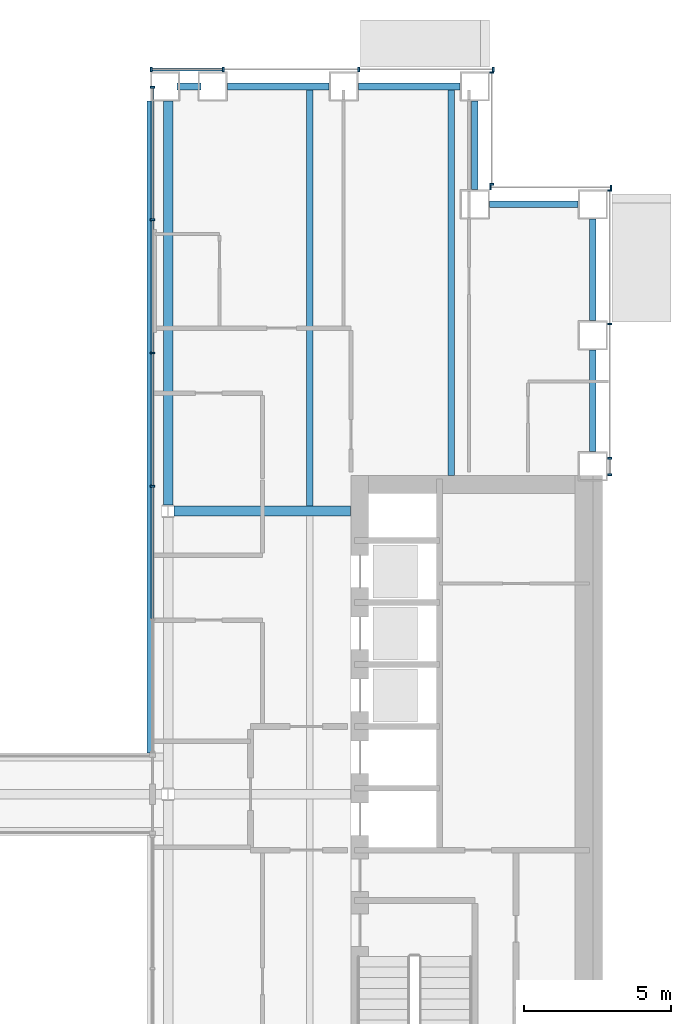
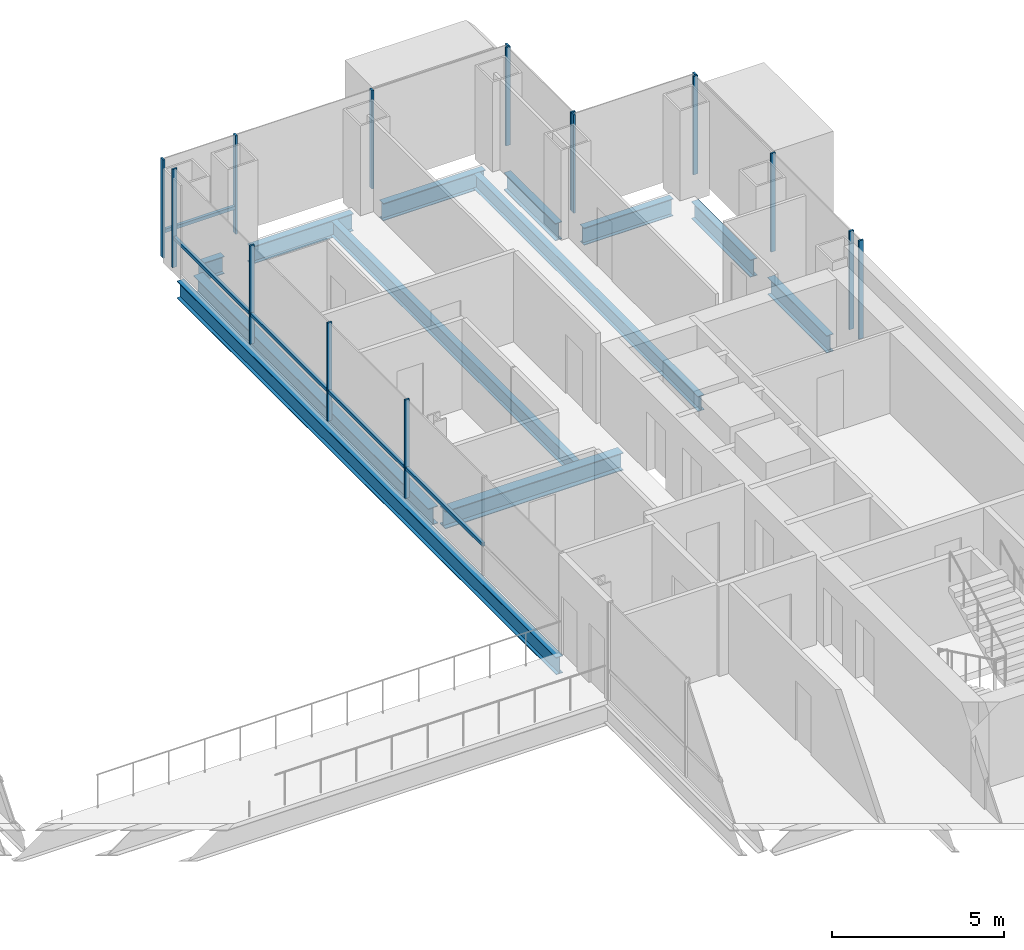
# One storey, part 7 of 21: 21 members, 12 beams, 5 elements without a shape of their own.
"""IFC4 building model written with IfcOpenShell, lengths in metres."""

import ifcopenshell
import ifcopenshell.guid

model = None  # the IFC model being written
_history = None  # IfcOwnerHistory: only IFC2X3 demands one
_inside = {}  # id of a spatial element -> (the spatial element, [elements in it])
_under = {}  # id of a project, library or spatial element -> (it, [spatial elements below it])
_declared = {}  # id of a project -> (the project, [libraries it declares])
_typed = {}  # id of a type object -> (the type object, [elements of that type])
_made_of = {}  # id of a material, layer set ... -> (it, [elements and type objects made of it])


def new_model(schema):
    """Start an empty IFC model of exactly this schema.

    Asked for "IFC4X3", IfcOpenShell would pick the latest addendum, in which some entities
    have other attributes; the version numbers below select the first issue.
    IFC2X3 requires an IfcOwnerHistory on every rooted entity: one is made here for all.
    """
    global model, _history
    if schema == "IFC4X3":
        model = ifcopenshell.file(schema_version=(4, 3, 0, 0))
    else:
        model = ifcopenshell.file(schema=schema)
    _inside.clear()
    _under.clear()
    _declared.clear()
    _typed.clear()
    _made_of.clear()
    _history = None
    if model.schema == "IFC2X3":
        org = make("IfcOrganization", Name="unknown")
        user = make(
            "IfcPersonAndOrganization",
            ThePerson=make("IfcPerson", FamilyName="unknown"),
            TheOrganization=org,
        )
        app = make(
            "IfcApplication",
            ApplicationDeveloper=org,
            Version="unknown",
            ApplicationFullName="unknown",
            ApplicationIdentifier="unknown",
        )
        _history = make(
            "IfcOwnerHistory",
            OwningUser=user,
            OwningApplication=app,
            ChangeAction="ADDED",
            CreationDate=0,
        )
    return model


def make(cls, **values):
    """One entity of the class cls with the attributes given. An attribute that is None is left unset."""
    return model.create_entity(
        cls, **{name: value for name, value in values.items() if value is not None}
    )


def rooted(cls, **values):
    """An entity with a GlobalId (a new one), such as an element, a storey or a relation."""
    return make(cls, GlobalId=ifcopenshell.guid.new(), OwnerHistory=_history, **values)


def si_unit(unit_type, name, prefix=None):
    """IfcSIUnit, for example si_unit("LENGTHUNIT", "METRE", prefix="MILLI")."""
    return make("IfcSIUnit", UnitType=unit_type, Prefix=prefix, Name=name)


def assignment(units):
    """IfcUnitAssignment: the units of a project."""
    return None if units is None else make("IfcUnitAssignment", Units=units)


def point(xyz):
    """IfcCartesianPoint."""
    return None if xyz is None else make("IfcCartesianPoint", Coordinates=xyz)


def direction(xyz):
    """IfcDirection."""
    return None if xyz is None else make("IfcDirection", DirectionRatios=xyz)


def frame(location, z_axis=None, x_axis=None):
    """IfcAxis2Placement3D, a coordinate frame: its origin and axes. An axis left out is left unset."""
    return make(
        "IfcAxis2Placement3D",
        Location=point(location),
        Axis=direction(z_axis),
        RefDirection=direction(x_axis),
    )


def frame_2d(location, x_axis=None):
    """IfcAxis2Placement2D, a coordinate frame in the plane: its origin and x axis."""
    return make(
        "IfcAxis2Placement2D", Location=point(location), RefDirection=direction(x_axis)
    )


def origin():
    """The frame at (0, 0, 0) with its axes left unset."""
    return frame((0.0, 0.0, 0.0))


def origin_2d():
    """The frame at (0, 0) in the plane with its x axis left unset."""
    return frame_2d((0.0, 0.0))


def place(relative_to, where):
    """IfcLocalPlacement: puts the frame where relative to a parent placement (None: the world)."""
    return make(
        "IfcLocalPlacement", PlacementRelTo=relative_to, RelativePlacement=where
    )


def context(
    kind, dimensions, precision=None, world=None, true_north=None, identifier=None
):
    """IfcGeometricRepresentationContext, for example the 3D "Model" context."""
    return make(
        "IfcGeometricRepresentationContext",
        ContextIdentifier=identifier,
        ContextType=kind,
        CoordinateSpaceDimension=dimensions,
        Precision=precision,
        WorldCoordinateSystem=world,
        TrueNorth=true_north,
    )


def subcontext(parent, identifier, kind, view, scale=None):
    """IfcGeometricRepresentationSubContext, for example "Body" below "Model"."""
    return make(
        "IfcGeometricRepresentationSubContext",
        ContextIdentifier=identifier,
        ContextType=kind,
        ParentContext=parent,
        TargetScale=scale,
        TargetView=view,
    )


def project(units=None, contexts=None):
    """IfcProject with its units and contexts."""
    return rooted(
        "IfcProject",
        Name="project",
        RepresentationContexts=contexts,
        UnitsInContext=assignment(units),
    )


def spatial(cls, under=None, at=None, **own):
    """A site, building, storey or space (cls), placed at a placement, below another one or the project."""
    s = rooted(cls, ObjectPlacement=at, **own)
    if under is not None:
        _under.setdefault(under.id(), (under, []))[1].append(s)
    return s


def profile(cls, at=None, kind="AREA", **sizes):
    """A parametric profile (cls). Its sizes go by their IFC names, for example OverallWidth=200.0."""
    return make(cls, ProfileType=kind, Position=at, **sizes)


def rectangle(**sizes):
    """IfcRectangleProfileDef."""
    return profile("IfcRectangleProfileDef", **sizes)


def i_section(**sizes):
    """IfcIShapeProfileDef."""
    return profile("IfcIShapeProfileDef", **sizes)


def extrude(swept, where, along, depth):
    """IfcExtrudedAreaSolid: the profile swept, set in the frame where, extruded along a direction by depth."""
    return make(
        "IfcExtrudedAreaSolid",
        SweptArea=swept,
        Position=where,
        ExtrudedDirection=direction(along),
        Depth=depth,
    )


def shape(context_of_items, identifier, shape_type, items):
    """IfcShapeRepresentation: the items that make up one representation, for example the "Body"."""
    return make(
        "IfcShapeRepresentation",
        ContextOfItems=context_of_items,
        RepresentationIdentifier=identifier,
        RepresentationType=shape_type,
        Items=items,
    )


def material(Name=None, Category=None):
    """IfcMaterial."""
    return make("IfcMaterial", Name=Name, Category=Category)


def material_profile(
    of_material, cross_section, Name=None, Category=None, Priority=None
):
    """IfcMaterialProfile: a cross section and its material."""
    return make(
        "IfcMaterialProfile",
        Name=Name,
        Material=of_material,
        Profile=cross_section,
        Priority=Priority,
        Category=Category,
    )


def profile_set(profiles, Name=None, composite=None):
    """IfcMaterialProfileSet."""
    return make(
        "IfcMaterialProfileSet",
        Name=Name,
        MaterialProfiles=profiles,
        CompositeProfile=composite,
    )


def made_of(thing, what):
    """Note that an element or type object is made of a material, layer set ...; save() writes the relation."""
    if what is not None:
        _made_of.setdefault(what.id(), (what, []))[1].append(thing)
    return thing


def type_object(cls, material=None, **own):
    """A type object (cls), such as IfcWallType, which elements share."""
    return made_of(rooted(cls, **own), material)


def element(
    cls,
    number,
    at=None,
    inside=None,
    cuts=None,
    type_object=None,
    material=None,
    context=None,
    identifier="Body",
    shape_type=None,
    held_by="IfcProductDefinitionShape",
    body=None,
    shapes=None,
    **own,
):
    """One element of the class cls, such as IfcWall. Its Tag is "e" and its number.

    at: its placement. inside: the storey or other place that contains it. cuts: it is an
    opening in that element (IfcRelVoidsElement). A single representation is given by context,
    identifier, shape_type and body (its items); several are given by shapes. held_by: the class
    of the entity that holds the representations. save() writes the other relations.
    """
    e = rooted(cls, Tag="e%d" % number, ObjectPlacement=at, **own)
    if body is not None:
        shapes = [shape(context, identifier, shape_type, body)]
    if shapes is not None:
        e.Representation = make(held_by, Representations=shapes)
    if inside is not None:
        _inside.setdefault(inside.id(), (inside, []))[1].append(e)
    if cuts is not None:
        rooted(
            "IfcRelVoidsElement", RelatingBuildingElement=cuts, RelatedOpeningElement=e
        )
    if type_object is not None:
        _typed.setdefault(type_object.id(), (type_object, []))[1].append(e)
    return made_of(e, material)


def aggregate(whole, parts):
    """IfcRelAggregates: a whole, such as a stair, and the parts it consists of."""
    return rooted("IfcRelAggregates", RelatingObject=whole, RelatedObjects=parts)


def save(model, path):
    """Write the relations noted so far, then the file.

    IfcRelAggregates (storeys below a building ...), IfcRelContainedInSpatialStructure (elements
    in a storey), IfcRelDefinesByType, IfcRelAssociatesMaterial and IfcRelDeclares: one each for
    every whole, place, type object, material and project.
    """
    for whole, parts in _under.values():
        aggregate(whole, parts)
    for where, things in _inside.values():
        rooted(
            "IfcRelContainedInSpatialStructure",
            RelatedElements=things,
            RelatingStructure=where,
        )
    for kind, things in _typed.values():
        rooted("IfcRelDefinesByType", RelatedObjects=things, RelatingType=kind)
    for what, things in _made_of.values():
        rooted("IfcRelAssociatesMaterial", RelatedObjects=things, RelatingMaterial=what)
    for by, libraries in _declared.values():
        rooted("IfcRelDeclares", RelatingContext=by, RelatedDefinitions=libraries)
    model.write(path)


model = new_model("IFC4")

# Units and contexts
model_context = context("Model", 3, precision=1e-05, world=origin(), true_north=direction((0.0, 1.0)))
body_context = subcontext(model_context, "Body", "Model", "MODEL_VIEW")
ifc_project = project(units=[si_unit("LENGTHUNIT", "METRE"), si_unit("AREAUNIT", "SQUARE_METRE"), si_unit("VOLUMEUNIT", "CUBIC_METRE"), si_unit("PLANEANGLEUNIT", "RADIAN"), si_unit("MASSUNIT", "GRAM", prefix="KILO")], contexts=[model_context])

# Site, building, storey
site_placement = place(None, origin())
site = spatial("IfcSite", under=ifc_project, at=site_placement, CompositionType="ELEMENT")
building_placement = place(site_placement, origin())
building = spatial("IfcBuilding", under=site, at=building_placement, Name="Cobrizo Arcos Hotel Tower", CompositionType="ELEMENT")
storey_placement = place(building_placement, frame((0.0, 0.0, 81.0)))
storey = spatial("IfcBuildingStorey", under=building, at=storey_placement, Name="L19", CompositionType="ELEMENT", Elevation=81.0)

# Curtain wall, members
ifc_material_1 = material(Name="Aluminium 6063-T6 anodised bronze", Category="aluminium")
curtain_wall_type_1 = type_object("IfcCurtainWallType", Name="CW-A guest facade", PredefinedType="NOTDEFINED", material=ifc_material_1)
curtain_wall_1_placement = place(storey_placement, origin())
curtain_wall_1 = element("IfcCurtainWall", 1, at=curtain_wall_1_placement, inside=storey, type_object=curtain_wall_type_1, Name="CW-A L19 E face", PredefinedType="NOTDEFINED")
ifc_material_profile_1 = material_profile(ifc_material_1, rectangle(XDim=0.14990234375, YDim=0.06005859375, at=origin_2d()), Name="CW-A mullion 150x60")
ifc_profile_set_1 = profile_set([ifc_material_profile_1], Name="Aluminium 6063-T6 anodised bronze")
member_type_1 = type_object("IfcMemberType", Name="CW-A mullion 150x60", PredefinedType="MULLION", material=ifc_profile_set_1)
member_1_placement = place(storey_placement, frame((24.574951171875, 10.830078125, 0.0), z_axis=(0.0, 0.0, 1.0), x_axis=(1.0, 0.0, 0.0)))
member_1 = element("IfcMember", 2, at=member_1_placement, type_object=member_type_1, Name="CW-A mullion 1", PredefinedType="MULLION", context=body_context, shape_type="SweptSolid", body=[
    extrude(rectangle(XDim=0.14990234375, YDim=0.06005859375, at=origin_2d()), origin(), (0.0, 0.0, 1.0), 3.5),
])
member_2_placement = place(storey_placement, frame((24.574951171875, 11.388916015625, 0.0), z_axis=(0.0, 0.0, 1.0), x_axis=(1.0, 0.0, 0.0)))
member_2 = element("IfcMember", 3, at=member_2_placement, type_object=member_type_1, Name="CW-A mullion 2", PredefinedType="MULLION", context=body_context, shape_type="SweptSolid", body=[
    extrude(rectangle(XDim=0.14990234375, YDim=0.06005859375, at=origin_2d()), origin(), (0.0, 0.0, 1.0), 3.5),
])
member_3_placement = place(storey_placement, frame((24.574951171875, 15.9443359375, 0.0), z_axis=(0.0, 0.0, 1.0), x_axis=(1.0, 0.0, 0.0)))
member_3 = element("IfcMember", 4, at=member_3_placement, type_object=member_type_1, Name="CW-A mullion 3", PredefinedType="MULLION", context=body_context, shape_type="SweptSolid", body=[
    extrude(rectangle(XDim=0.14990234375, YDim=0.06005859375, at=origin_2d()), origin(), (0.0, 0.0, 1.0), 3.5),
])
member_4_placement = place(storey_placement, frame((24.574951171875, 20.469970703125, 0.0), z_axis=(0.0, 0.0, 1.0), x_axis=(1.0, 0.0, 0.0)))
member_4 = element("IfcMember", 5, at=member_4_placement, type_object=member_type_1, Name="CW-A mullion 4", PredefinedType="MULLION", context=body_context, shape_type="SweptSolid", body=[
    extrude(rectangle(XDim=0.14990234375, YDim=0.06005859375, at=origin_2d()), origin(), (0.0, 0.0, 1.0), 3.5),
])
aggregate(curtain_wall_1, [member_1, member_2, member_3, member_4])

curtain_wall_2_placement = place(storey_placement, origin())
curtain_wall_2 = element("IfcCurtainWall", 6, at=curtain_wall_2_placement, inside=storey, type_object=curtain_wall_type_1, Name="CW-A L19 N face", PredefinedType="NOTDEFINED")
member_5_placement = place(storey_placement, frame((24.6201171875, 20.574951171875, 0.0), z_axis=(0.0, 0.0, 1.0), x_axis=(0.0, 1.0, 0.0)))
member_5 = element("IfcMember", 7, at=member_5_placement, type_object=member_type_1, Name="CW-A mullion 1", PredefinedType="MULLION", context=body_context, shape_type="SweptSolid", body=[
    extrude(rectangle(XDim=0.14990234375, YDim=0.06005859375, at=origin_2d()), origin(), (0.0, 0.0, 1.0), 3.5),
])
member_6_placement = place(storey_placement, frame((20.530029296875, 20.574951171875, 0.0), z_axis=(0.0, 0.0, 1.0), x_axis=(0.0, 1.0, 0.0)))
member_6 = element("IfcMember", 8, at=member_6_placement, type_object=member_type_1, Name="CW-A mullion 2", PredefinedType="MULLION", context=body_context, shape_type="SweptSolid", body=[
    extrude(rectangle(XDim=0.14990234375, YDim=0.06005859375, at=origin_2d()), origin(), (0.0, 0.0, 1.0), 3.5),
])
aggregate(curtain_wall_2, [member_5, member_6])

curtain_wall_3_placement = place(storey_placement, origin())
curtain_wall_3 = element("IfcCurtainWall", 9, at=curtain_wall_3_placement, inside=storey, type_object=curtain_wall_type_1, Name="CW-A L19 E face", PredefinedType="NOTDEFINED")
member_7_placement = place(storey_placement, frame((20.574951171875, 20.679931640625, 0.0), z_axis=(0.0, 0.0, 1.0), x_axis=(1.0, 0.0, 0.0)))
member_7 = element("IfcMember", 10, at=member_7_placement, type_object=member_type_1, Name="CW-A mullion 1", PredefinedType="MULLION", context=body_context, shape_type="SweptSolid", body=[
    extrude(rectangle(XDim=0.14990234375, YDim=0.06005859375, at=origin_2d()), origin(), (0.0, 0.0, 1.0), 3.5),
])
member_8_placement = place(storey_placement, frame((20.574951171875, 24.469970703125, 0.0), z_axis=(0.0, 0.0, 1.0), x_axis=(1.0, 0.0, 0.0)))
member_8 = element("IfcMember", 11, at=member_8_placement, type_object=member_type_1, Name="CW-A mullion 2", PredefinedType="MULLION", context=body_context, shape_type="SweptSolid", body=[
    extrude(rectangle(XDim=0.14990234375, YDim=0.06005859375, at=origin_2d()), origin(), (0.0, 0.0, 1.0), 3.5),
])
aggregate(curtain_wall_3, [member_7, member_8])

curtain_wall_4_placement = place(storey_placement, origin())
curtain_wall_4 = element("IfcCurtainWall", 12, at=curtain_wall_4_placement, inside=storey, type_object=curtain_wall_type_1, Name="CW-A L19 N face", PredefinedType="NOTDEFINED")
member_9_placement = place(storey_placement, frame((20.6201171875, 24.574951171875, 0.0), z_axis=(0.0, 0.0, 1.0), x_axis=(0.0, 1.0, 0.0)))
member_9 = element("IfcMember", 13, at=member_9_placement, type_object=member_type_1, Name="CW-A mullion 1", PredefinedType="MULLION", context=body_context, shape_type="SweptSolid", body=[
    extrude(rectangle(XDim=0.14990234375, YDim=0.06005859375, at=origin_2d()), origin(), (0.0, 0.0, 1.0), 3.5),
])
member_10_placement = place(storey_placement, frame((16.06103515625, 24.574951171875, 0.0), z_axis=(0.0, 0.0, 1.0), x_axis=(0.0, 1.0, 0.0)))
member_10 = element("IfcMember", 14, at=member_10_placement, type_object=member_type_1, Name="CW-A mullion 2", PredefinedType="MULLION", context=body_context, shape_type="SweptSolid", body=[
    extrude(rectangle(XDim=0.14990234375, YDim=0.06005859375, at=origin_2d()), origin(), (0.0, 0.0, 1.0), 3.5),
])
member_11_placement = place(storey_placement, frame((11.47216796875, 24.574951171875, 0.0), z_axis=(0.0, 0.0, 1.0), x_axis=(0.0, 1.0, 0.0)))
member_11 = element("IfcMember", 15, at=member_11_placement, type_object=member_type_1, Name="CW-A mullion 3", PredefinedType="MULLION", context=body_context, shape_type="SweptSolid", body=[
    extrude(rectangle(XDim=0.14990234375, YDim=0.06005859375, at=origin_2d()), origin(), (0.0, 0.0, 1.0), 3.5),
])
member_12_placement = place(storey_placement, frame((9.030029296875, 24.574951171875, 0.0), z_axis=(0.0, 0.0, 1.0), x_axis=(0.0, 1.0, 0.0)))
member_12 = element("IfcMember", 16, at=member_12_placement, type_object=member_type_1, Name="CW-A mullion 4", PredefinedType="MULLION", context=body_context, shape_type="SweptSolid", body=[
    extrude(rectangle(XDim=0.14990234375, YDim=0.06005859375, at=origin_2d()), origin(), (0.0, 0.0, 1.0), 3.5),
])
ifc_material_profile_2 = material_profile(ifc_material_1, rectangle(XDim=0.10009765625, YDim=0.1201171875, at=origin_2d()), Name="CW-A transom 120x100")
ifc_profile_set_2 = profile_set([ifc_material_profile_2], Name="Aluminium 6063-T6 anodised bronze")
member_type_2 = type_object("IfcMemberType", Name="CW-A transom 120x100", PredefinedType="USERDEFINED", material=ifc_profile_set_2)
member_13_placement = place(storey_placement, frame((11.442138671875, 24.574951171875, 0.929931640625), z_axis=(-1.0, 0.0, 0.0), x_axis=(0.0, -1.0, 0.0)))
member_13 = element("IfcMember", 17, at=member_13_placement, type_object=member_type_2, Name="CW-A transom 799", ObjectType="TRANSOM", PredefinedType="USERDEFINED", context=body_context, shape_type="SweptSolid", body=[
    extrude(rectangle(XDim=0.10009765625, YDim=0.1201171875, at=origin_2d()), origin(), (0.0, 0.0, 1.0), 2.382080078125),
])
aggregate(curtain_wall_4, [member_9, member_10, member_11, member_12, member_13])

curtain_wall_type_2 = type_object("IfcCurtainWallType", Name="CW-F void screen", PredefinedType="NOTDEFINED", material=ifc_material_1)
curtain_wall_5_placement = place(storey_placement, origin())
curtain_wall_5 = element("IfcCurtainWall", 18, at=curtain_wall_5_placement, inside=storey, type_object=curtain_wall_type_2, Name="CW-F L19 void screen A", PredefinedType="NOTDEFINED")
ifc_material_profile_3 = material_profile(ifc_material_1, rectangle(XDim=0.14990234375, YDim=0.06005859375, at=origin_2d()), Name="CW-F mullion 150x60")
ifc_profile_set_3 = profile_set([ifc_material_profile_3], Name="Aluminium 6063-T6 anodised bronze")
member_type_3 = type_object("IfcMemberType", Name="CW-F mullion 150x60", PredefinedType="MULLION", material=ifc_profile_set_3)
member_14_placement = place(storey_placement, frame((9.074951171875, 10.43994140625, 0.0), z_axis=(0.0, 0.0, 1.0), x_axis=(1.0, 0.0, 0.0)))
member_14 = element("IfcMember", 19, at=member_14_placement, type_object=member_type_3, Name="CW-F mullion 3", PredefinedType="MULLION", context=body_context, shape_type="SweptSolid", body=[
    extrude(rectangle(XDim=0.14990234375, YDim=0.06005859375, at=origin_2d()), origin(), (0.0, 0.0, 1.0), 3.5),
])
member_15_placement = place(storey_placement, frame((9.074951171875, 14.9599609375, 0.0), z_axis=(0.0, 0.0, 1.0), x_axis=(1.0, 0.0, 0.0)))
member_15 = element("IfcMember", 20, at=member_15_placement, type_object=member_type_3, Name="CW-F mullion 4", PredefinedType="MULLION", context=body_context, shape_type="SweptSolid", body=[
    extrude(rectangle(XDim=0.14990234375, YDim=0.06005859375, at=origin_2d()), origin(), (0.0, 0.0, 1.0), 3.5),
])
member_16_placement = place(storey_placement, frame((9.074951171875, 19.47998046875, 0.0), z_axis=(0.0, 0.0, 1.0), x_axis=(1.0, 0.0, 0.0)))
member_16 = element("IfcMember", 21, at=member_16_placement, type_object=member_type_3, Name="CW-F mullion 5", PredefinedType="MULLION", context=body_context, shape_type="SweptSolid", body=[
    extrude(rectangle(XDim=0.14990234375, YDim=0.06005859375, at=origin_2d()), origin(), (0.0, 0.0, 1.0), 3.5),
])
member_17_placement = place(storey_placement, frame((9.074951171875, 23.969970703125, 0.0), z_axis=(0.0, 0.0, 1.0), x_axis=(1.0, 0.0, 0.0)))
member_17 = element("IfcMember", 22, at=member_17_placement, type_object=member_type_3, Name="CW-F mullion 6", PredefinedType="MULLION", context=body_context, shape_type="SweptSolid", body=[
    extrude(rectangle(XDim=0.14990234375, YDim=0.06005859375, at=origin_2d()), origin(), (0.0, 0.0, 1.0), 3.5),
])
ifc_material_profile_4 = material_profile(ifc_material_1, rectangle(XDim=0.10009765625, YDim=0.1201171875, at=origin_2d()), Name="CW-F transom 120x100")
ifc_profile_set_4 = profile_set([ifc_material_profile_4], Name="Aluminium 6063-T6 anodised bronze")
member_type_4 = type_object("IfcMemberType", Name="CW-F transom 120x100", PredefinedType="USERDEFINED", material=ifc_profile_set_4)
member_18_placement = place(storey_placement, frame((9.074951171875, 5.949951171875, 1.050048828125), z_axis=(0.0, 1.0, 0.0), x_axis=(-1.0, 0.0, 0.0)))
member_18 = element("IfcMember", 23, at=member_18_placement, type_object=member_type_4, Name="CW-F transom 2554", ObjectType="TRANSOM", PredefinedType="USERDEFINED", context=body_context, shape_type="SweptSolid", body=[
    extrude(rectangle(XDim=0.10009765625, YDim=0.1201171875, at=origin_2d()), origin(), (0.0, 0.0, 1.0), 4.4599609375),
])
member_19_placement = place(storey_placement, frame((9.074951171875, 10.469970703125, 1.050048828125), z_axis=(0.0, 1.0, 0.0), x_axis=(-1.0, 0.0, 0.0)))
member_19 = element("IfcMember", 24, at=member_19_placement, type_object=member_type_4, Name="CW-F transom 2555", ObjectType="TRANSOM", PredefinedType="USERDEFINED", context=body_context, shape_type="SweptSolid", body=[
    extrude(rectangle(XDim=0.10009765625, YDim=0.1201171875, at=origin_2d()), origin(), (0.0, 0.0, 1.0), 4.4599609375),
])
member_20_placement = place(storey_placement, frame((9.074951171875, 14.989990234375, 1.050048828125), z_axis=(0.0, 1.0, 0.0), x_axis=(-1.0, 0.0, 0.0)))
member_20 = element("IfcMember", 25, at=member_20_placement, type_object=member_type_4, Name="CW-F transom 2556", ObjectType="TRANSOM", PredefinedType="USERDEFINED", context=body_context, shape_type="SweptSolid", body=[
    extrude(rectangle(XDim=0.10009765625, YDim=0.1201171875, at=origin_2d()), origin(), (0.0, 0.0, 1.0), 4.4599609375),
])
member_21_placement = place(storey_placement, frame((9.074951171875, 19.510009765625, 1.050048828125), z_axis=(0.0, 1.0, 0.0), x_axis=(-1.0, 0.0, 0.0)))
member_21 = element("IfcMember", 26, at=member_21_placement, type_object=member_type_4, Name="CW-F transom 2557", ObjectType="TRANSOM", PredefinedType="USERDEFINED", context=body_context, shape_type="SweptSolid", body=[
    extrude(rectangle(XDim=0.10009765625, YDim=0.1201171875, at=origin_2d()), origin(), (0.0, 0.0, 1.0), 4.429931640625),
])
aggregate(curtain_wall_5, [member_14, member_15, member_16, member_17, member_18, member_19, member_20, member_21])

# Beams
ifc_material_2 = material(Name="Steel ASTM A992 Grade 50", Category="steel")
ifc_material_profile_5 = material_profile(ifc_material_2, i_section(OverallWidth=0.209228515625, OverallDepth=0.533447265625, WebThickness=0.01025390625, FlangeThickness=0.015625, at=origin_2d()), Name="W21X62")
ifc_profile_set_5 = profile_set([ifc_material_profile_5], Name="Steel ASTM A992 Grade 50")
beam_type_1 = type_object("IfcBeamType", Name="W21X62 joist", PredefinedType="JOIST", material=ifc_profile_set_5)
beam_1_placement = place(storey_placement, frame((14.39990234375, 9.763916015625, -0.416748046875), z_axis=(0.0, 1.0, 0.0), x_axis=(-1.0, 0.0, 0.0)))
element("IfcBeam", 27, at=beam_1_placement, inside=storey, type_object=beam_type_1, Name="Floor joist J1, L19, no. 010", PredefinedType="JOIST", context=body_context, shape_type="SweptSolid", body=[
    extrude(i_section(OverallWidth=0.209228515625, OverallDepth=0.533447265625, WebThickness=0.01025390625, FlangeThickness=0.015625, at=origin_2d()), origin(), (0.0, 0.0, 1.0), 14.14599609375),
])
beam_2_placement = place(storey_placement, frame((19.199951171875, 10.81005859375, -0.416748046875), z_axis=(0.0, 1.0, 0.0), x_axis=(-1.0, 0.0, 0.0)))
element("IfcBeam", 28, at=beam_2_placement, inside=storey, type_object=beam_type_1, Name="Floor joist J1, L19, no. 012", PredefinedType="JOIST", context=body_context, shape_type="SweptSolid", body=[
    extrude(i_section(OverallWidth=0.209228515625, OverallDepth=0.533447265625, WebThickness=0.01025390625, FlangeThickness=0.015625, at=origin_2d()), origin(), (0.0, 0.0, 1.0), 13.099853515625),
])
ifc_material_profile_6 = material_profile(ifc_material_2, i_section(OverallWidth=0.32763671875, OverallDepth=0.622314453125, WebThickness=0.015380859375, FlangeThickness=0.0244140625, at=origin_2d()), Name="W24X131")
ifc_profile_set_6 = profile_set([ifc_material_profile_6], Name="Steel ASTM A992 Grade 50")
beam_type_2 = type_object("IfcBeamType", Name="W24X131 girder", PredefinedType="BEAM", material=ifc_profile_set_6)
beam_3_placement = place(storey_placement, frame((9.804443359375, 9.60009765625, -0.461181640625), z_axis=(1.0, 0.0, 0.0), x_axis=(0.0, 1.0, 0.0)))
element("IfcBeam", 29, at=beam_3_placement, inside=storey, type_object=beam_type_2, Name="Floor girder G1, L19, no. 007", PredefinedType="BEAM", context=body_context, shape_type="SweptSolid", body=[
    extrude(i_section(OverallWidth=0.32763671875, OverallDepth=0.622314453125, WebThickness=0.015380859375, FlangeThickness=0.0244140625, at=origin_2d()), origin(), (0.0, 0.0, 1.0), 5.985595703125),
])
beam_4_placement = place(storey_placement, frame((9.60009765625, 9.804443359375, -0.461181640625), z_axis=(0.0, 1.0, 0.0), x_axis=(-1.0, 0.0, 0.0)))
element("IfcBeam", 30, at=beam_4_placement, inside=storey, type_object=beam_type_2, Name="Floor girder G1, L19, no. 015", PredefinedType="BEAM", context=body_context, shape_type="SweptSolid", body=[
    extrude(i_section(OverallWidth=0.32763671875, OverallDepth=0.622314453125, WebThickness=0.015380859375, FlangeThickness=0.0244140625, at=origin_2d()), origin(), (0.0, 0.0, 1.0), 13.695556640625),
])
ifc_material_profile_7 = material_profile(ifc_material_2, i_section(OverallWidth=0.23046875, OverallDepth=0.6171875, WebThickness=0.01318359375, FlangeThickness=0.022216796875, at=origin_2d()), Name="W24X94")
ifc_profile_set_7 = profile_set([ifc_material_profile_7], Name="Steel ASTM A992 Grade 50")
beam_type_3 = type_object("IfcBeamType", Name="W24X94 spandrel", PredefinedType="SPANDREL", material=ifc_profile_set_7)
beam_5_placement = place(storey_placement, frame((20.5, 20.0, -0.45849609375), z_axis=(1.0, 0.0, 0.0), x_axis=(0.0, 1.0, 0.0)))
element("IfcBeam", 31, at=beam_5_placement, inside=storey, type_object=beam_type_3, Name="Spandrel beam W24X94, L19, no. 001", PredefinedType="SPANDREL", context=body_context, shape_type="SweptSolid", body=[
    extrude(i_section(OverallWidth=0.23046875, OverallDepth=0.6171875, WebThickness=0.01318359375, FlangeThickness=0.022216796875, at=origin_2d()), origin(), (0.0, 0.0, 1.0), 3.0),
])
beam_6_placement = place(storey_placement, frame((24.0, 19.5, -0.45849609375), z_axis=(0.0, -1.0, 0.0), x_axis=(1.0, 0.0, 0.0)))
element("IfcBeam", 32, at=beam_6_placement, inside=storey, type_object=beam_type_3, Name="Spandrel beam W24X94, L19, no. 002", PredefinedType="SPANDREL", context=body_context, shape_type="SweptSolid", body=[
    extrude(i_section(OverallWidth=0.23046875, OverallDepth=0.6171875, WebThickness=0.01318359375, FlangeThickness=0.022216796875, at=origin_2d()), origin(), (0.0, 0.0, 1.0), 3.444091796875),
])
beam_7_placement = place(storey_placement, frame((24.0, 15.055908203125, -0.45849609375), z_axis=(0.0, -1.0, 0.0), x_axis=(1.0, 0.0, 0.0)))
element("IfcBeam", 33, at=beam_7_placement, inside=storey, type_object=beam_type_3, Name="Spandrel beam W24X94, L19, no. 003", PredefinedType="SPANDREL", context=body_context, shape_type="SweptSolid", body=[
    extrude(i_section(OverallWidth=0.23046875, OverallDepth=0.6171875, WebThickness=0.01318359375, FlangeThickness=0.022216796875, at=origin_2d()), origin(), (0.0, 0.0, 1.0), 3.44482421875),
])
beam_8_placement = place(storey_placement, frame((9.0, 1.39990234375, -0.45849609375), z_axis=(0.0, 1.0, 0.0), x_axis=(-1.0, 0.0, 0.0)))
element("IfcBeam", 34, at=beam_8_placement, inside=storey, type_object=beam_type_3, Name="Spandrel beam W24X94, L19, no. 028", PredefinedType="SPANDREL", context=body_context, shape_type="SweptSolid", body=[
    extrude(i_section(OverallWidth=0.23046875, OverallDepth=0.6171875, WebThickness=0.01318359375, FlangeThickness=0.022216796875, at=origin_2d()), origin(), (0.0, 0.0, 1.0), 22.10009765625),
])
beam_9_placement = place(storey_placement, frame((9.89990234375, 24.0, -0.45849609375), z_axis=(1.0, 0.0, 0.0), x_axis=(0.0, 1.0, 0.0)))
element("IfcBeam", 35, at=beam_9_placement, inside=storey, type_object=beam_type_3, Name="Spandrel beam W24X94, L19, no. 029", PredefinedType="SPANDREL", context=body_context, shape_type="SweptSolid", body=[
    extrude(i_section(OverallWidth=0.23046875, OverallDepth=0.6171875, WebThickness=0.01318359375, FlangeThickness=0.022216796875, at=origin_2d()), origin(), (0.0, 0.0, 1.0), 0.81103515625),
])
beam_10_placement = place(storey_placement, frame((11.611083984375, 24.0, -0.45849609375), z_axis=(1.0, 0.0, 0.0), x_axis=(0.0, 1.0, 0.0)))
element("IfcBeam", 36, at=beam_10_placement, inside=storey, type_object=beam_type_3, Name="Spandrel beam W24X94, L19, no. 030", PredefinedType="SPANDREL", context=body_context, shape_type="SweptSolid", body=[
    extrude(i_section(OverallWidth=0.23046875, OverallDepth=0.6171875, WebThickness=0.01318359375, FlangeThickness=0.022216796875, at=origin_2d()), origin(), (0.0, 0.0, 1.0), 3.44482421875),
])
beam_11_placement = place(storey_placement, frame((16.055908203125, 24.0, -0.45849609375), z_axis=(1.0, 0.0, 0.0), x_axis=(0.0, 1.0, 0.0)))
element("IfcBeam", 37, at=beam_11_placement, inside=storey, type_object=beam_type_3, Name="Spandrel beam W24X94, L19, no. 031", PredefinedType="SPANDREL", context=body_context, shape_type="SweptSolid", body=[
    extrude(i_section(OverallWidth=0.23046875, OverallDepth=0.6171875, WebThickness=0.01318359375, FlangeThickness=0.022216796875, at=origin_2d()), origin(), (0.0, 0.0, 1.0), 3.444091796875),
])
beam_12_placement = place(storey_placement, frame((20.0, 23.5, -0.45849609375), z_axis=(0.0, -1.0, 0.0), x_axis=(1.0, 0.0, 0.0)))
element("IfcBeam", 38, at=beam_12_placement, inside=storey, type_object=beam_type_3, Name="Spandrel beam W24X94, L19, no. 032", PredefinedType="SPANDREL", context=body_context, shape_type="SweptSolid", body=[
    extrude(i_section(OverallWidth=0.23046875, OverallDepth=0.6171875, WebThickness=0.01318359375, FlangeThickness=0.022216796875, at=origin_2d()), origin(), (0.0, 0.0, 1.0), 3.0),
])

save(model, "model.ifc")
